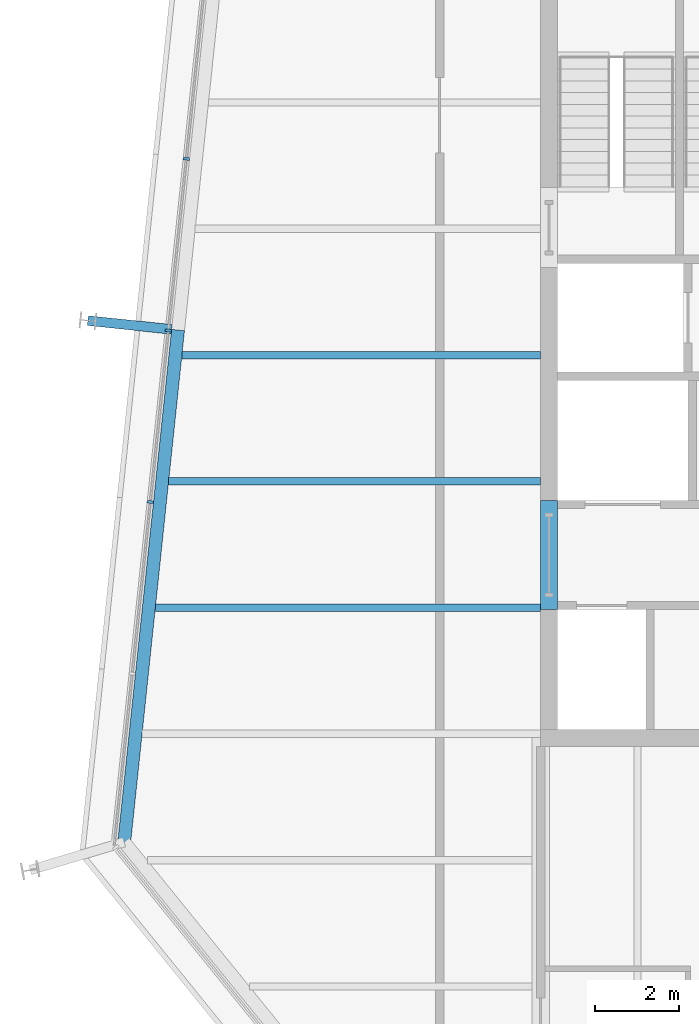
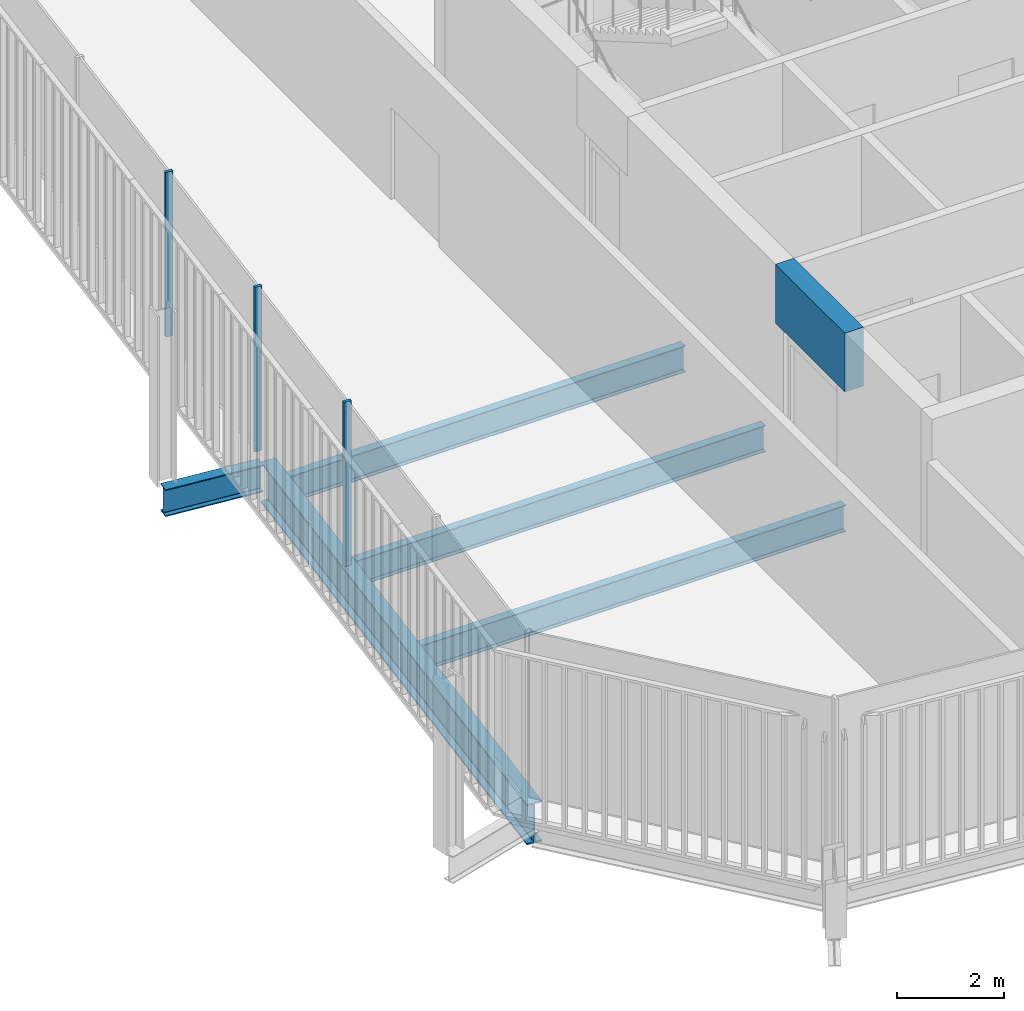
# One storey, part 6 of 20: 6 beams, 3 members, 1 element without a shape of its own.
"""IFC4 building model written with IfcOpenShell, lengths in metres."""

from ifc_helpers import new_model, si_unit, direction, frame, origin, origin_2d, place, context, subcontext, project, spatial, rectangle, i_section, extrude, material, layer, layer_set, material_profile, profile_set, type_object, element, aggregate, save


model = new_model("IFC4")

# Units and contexts
model_context = context("Model", 3, precision=1e-05, world=origin(), true_north=direction((0.0, 1.0)))
body_context = subcontext(model_context, "Body", "Model", "MODEL_VIEW")
ifc_project = project(units=[si_unit("LENGTHUNIT", "METRE"), si_unit("AREAUNIT", "SQUARE_METRE"), si_unit("VOLUMEUNIT", "CUBIC_METRE"), si_unit("PLANEANGLEUNIT", "RADIAN"), si_unit("MASSUNIT", "GRAM", prefix="KILO")], contexts=[model_context])

# Site, building, storey
site_placement = place(None, origin())
site = spatial("IfcSite", under=ifc_project, at=site_placement, CompositionType="ELEMENT")
building_placement = place(site_placement, origin())
building = spatial("IfcBuilding", under=site, at=building_placement, Name="Millrace Tower", CompositionType="ELEMENT")
storey_placement = place(building_placement, frame((0.0, 0.0, 330.39990234375)))
storey = spatial("IfcBuildingStorey", under=building, at=storey_placement, Name="L76", CompositionType="ELEMENT", Elevation=330.39990234375)

# Curtain wall, members
ifc_material_1 = material(Name="Aluminium and glass", Category="aluminium")
ifc_layer = layer(ifc_material_1, 0.14990234375)
ifc_layer_set = layer_set([ifc_layer], Name="Aluminium and glass")
curtain_wall_type = type_object("IfcCurtainWallType", Name="CW-1 office vision curtain wall", PredefinedType="NOTDEFINED", material=ifc_layer_set)
curtain_wall_placement = place(storey_placement, origin())
curtain_wall = element("IfcCurtainWall", 1, at=curtain_wall_placement, inside=storey, type_object=curtain_wall_type, Name="Curtain wall E-F08 L76", PredefinedType="NOTDEFINED")
ifc_material_2 = material(Name="Aluminium", Category="aluminium")
ifc_material_profile_1 = material_profile(ifc_material_2, rectangle(XDim=0.06494140625, YDim=0.14990234375, at=origin_2d()))
ifc_profile_set_1 = profile_set([ifc_material_profile_1], Name="Aluminium")
member_type = type_object("IfcMemberType", Name="CW-1 office vision curtain wall mullion", PredefinedType="MULLION", material=ifc_profile_set_1)
member_1_placement = place(storey_placement, frame((-22.717529296875, 4.664794921875, 0.14013671875), z_axis=(0.0, 0.0, 1.0), x_axis=(-0.104528455196, -0.994521896217, 0.0)))
member_1 = element("IfcMember", 2, at=member_1_placement, type_object=member_type, Name="CW1 mullion E-F08.6", PredefinedType="MULLION", context=body_context, shape_type="SweptSolid", body=[
    extrude(rectangle(XDim=0.06494140625, YDim=0.14990234375, at=origin_2d()), origin(), (0.0, 0.0, 1.0), 3.760009765625),
])
member_2_placement = place(storey_placement, frame((-23.146240234375, 0.587158203125, 0.14013671875), z_axis=(0.0, 0.0, 1.0), x_axis=(-0.104528455196, -0.994521896217, 0.0)))
member_2 = element("IfcMember", 3, at=member_2_placement, type_object=member_type, Name="CW1 mullion E-F08.7", PredefinedType="MULLION", context=body_context, shape_type="SweptSolid", body=[
    extrude(rectangle(XDim=0.06494140625, YDim=0.14990234375, at=origin_2d()), origin(), (0.0, 0.0, 1.0), 3.760009765625),
])
member_3_placement = place(storey_placement, frame((-23.57470703125, -3.490234375, 0.14013671875), z_axis=(0.0, 0.0, 1.0), x_axis=(-0.104528455196, -0.994521896217, 0.0)))
member_3 = element("IfcMember", 4, at=member_3_placement, type_object=member_type, Name="CW1 mullion E-F08.8", PredefinedType="MULLION", context=body_context, shape_type="SweptSolid", body=[
    extrude(rectangle(XDim=0.06494140625, YDim=0.14990234375, at=origin_2d()), origin(), (0.0, 0.0, 1.0), 3.760009765625),
])
aggregate(curtain_wall, [member_1, member_2, member_3])

# Beams
ifc_material_3 = material(Name="Concrete C60", Category="concrete")
ifc_material_profile_2 = material_profile(ifc_material_3, rectangle(XDim=0.39990234375, YDim=1.340087890625, at=origin_2d()))
ifc_profile_set_2 = profile_set([ifc_material_profile_2], Name="Concrete C60")
beam_type_1 = type_object("IfcBeamType", Name="Coupling beam 400 x 1340 Concrete C60, 2000 opening", PredefinedType="BEAM", material=ifc_profile_set_2)
beam_1_placement = place(storey_placement, frame((-14.10009765625, -6.050048828125, 3.070068359375), z_axis=(0.0, 1.0, 0.0), x_axis=(-1.0, 0.0, 0.0)))
element("IfcBeam", 5, at=beam_1_placement, inside=storey, type_object=beam_type_1, Name="Coupling beam W L76", PredefinedType="BEAM", context=body_context, shape_type="SweptSolid", body=[
    extrude(rectangle(XDim=0.39990234375, YDim=1.340087890625, at=origin_2d()), origin(), (0.0, 0.0, 1.0), 2.60009765625),
])
ifc_material_4 = material(Name="Steel ASTM A992 Grade 50", Category="steel")
ifc_material_profile_3 = material_profile(ifc_material_4, i_section(OverallWidth=0.177978515625, OverallDepth=0.599365234375, WebThickness=0.010009765625, FlangeThickness=0.012939453125, FilletRadius=0.012939453125, at=origin_2d()))
ifc_profile_set_3 = profile_set([ifc_material_profile_3], Name="Steel ASTM A992 Grade 50")
beam_type_2 = type_object("IfcBeamType", Name="Floor beam W24x55", PredefinedType="JOIST", material=ifc_profile_set_3)
beam_2_placement = place(storey_placement, frame((-23.4541015625, -6.0, -0.459716796875), z_axis=(1.0, 0.0, 0.0), x_axis=(0.0, 1.0, 0.0)))
element("IfcBeam", 6, at=beam_2_placement, inside=storey, type_object=beam_type_2, Name="BM-E-L76-S1-S009", PredefinedType="JOIST", context=body_context, shape_type="SweptSolid", body=[
    extrude(i_section(OverallWidth=0.177978515625, OverallDepth=0.599365234375, WebThickness=0.010009765625, FlangeThickness=0.012939453125, FilletRadius=0.012939453125, at=origin_2d()), origin(), (0.0, 0.0, 1.0), 9.154052734375),
])
beam_3_placement = place(storey_placement, frame((-23.138916015625, -3.0, -0.459716796875), z_axis=(1.0, 0.0, 0.0), x_axis=(0.0, 1.0, 0.0)))
element("IfcBeam", 7, at=beam_3_placement, inside=storey, type_object=beam_type_2, Name="BM-E-L76-S1-S012", PredefinedType="JOIST", context=body_context, shape_type="SweptSolid", body=[
    extrude(i_section(OverallWidth=0.177978515625, OverallDepth=0.599365234375, WebThickness=0.010009765625, FlangeThickness=0.012939453125, FilletRadius=0.012939453125, at=origin_2d()), origin(), (0.0, 0.0, 1.0), 8.8388671875),
])
beam_4_placement = place(storey_placement, frame((-22.823486328125, 0.0, -0.459716796875), z_axis=(1.0, 0.0, 0.0), x_axis=(0.0, 1.0, 0.0)))
element("IfcBeam", 8, at=beam_4_placement, inside=storey, type_object=beam_type_2, Name="BM-E-L76-S1-S015", PredefinedType="JOIST", context=body_context, shape_type="SweptSolid", body=[
    extrude(i_section(OverallWidth=0.177978515625, OverallDepth=0.599365234375, WebThickness=0.010009765625, FlangeThickness=0.012939453125, FilletRadius=0.012939453125, at=origin_2d()), origin(), (0.0, 0.0, 1.0), 8.5234375),
])
ifc_material_5 = material(Name="Steel ASTM A992 Grade 50", Category="steel")
ifc_material_profile_4 = material_profile(ifc_material_5, i_section(OverallWidth=0.23046875, OverallDepth=0.6171875, WebThickness=0.01318359375, FlangeThickness=0.022216796875, FilletRadius=0.012939453125, at=origin_2d()))
ifc_profile_set_4 = profile_set([ifc_material_profile_4], Name="Steel ASTM A992 Grade 50")
beam_type_3 = type_object("IfcBeamType", Name="Link beam W24x94", PredefinedType="BEAM", material=ifc_profile_set_4)
beam_5_placement = place(storey_placement, frame((-23.068115234375, 0.61181640625, -0.468505859375), z_axis=(-0.994526834051, 0.104481464157, 0.0), x_axis=(-0.104481464157, -0.994526834051, 0.0)))
element("IfcBeam", 9, at=beam_5_placement, inside=storey, type_object=beam_type_3, Name="LNK-E-L76-S1-02", PredefinedType="BEAM", context=body_context, shape_type="SweptSolid", body=[
    extrude(i_section(OverallWidth=0.23046875, OverallDepth=0.6171875, WebThickness=0.01318359375, FlangeThickness=0.022216796875, FilletRadius=0.012939453125, at=origin_2d()), origin(), (0.0, 0.0, 1.0), 2.000244140625),
])
ifc_material_6 = material(Name="Steel ASTM A992 Grade 50", Category="steel")
ifc_material_profile_5 = material_profile(ifc_material_6, i_section(OverallWidth=0.307373046875, OverallDepth=0.927001953125, WebThickness=0.01953125, FlangeThickness=0.031982421875, FilletRadius=0.01904296875, at=origin_2d()))
ifc_profile_set_5 = profile_set([ifc_material_profile_5], Name="Steel ASTM A992 Grade 50")
beam_type_4 = type_object("IfcBeamType", Name="Ring beam medium span W36x194", PredefinedType="SPANDREL", material=ifc_profile_set_5)
beam_6_placement = place(storey_placement, frame((-24.1943359375, -11.57373046875, -0.62353515625), z_axis=(0.104527955888, 0.994521948696, 0.0), x_axis=(-0.994521948696, 0.104527955888, 0.0)))
element("IfcBeam", 10, at=beam_6_placement, inside=storey, type_object=beam_type_4, Name="RNG-E-L76-S1-01", PredefinedType="SPANDREL", context=body_context, shape_type="SweptSolid", body=[
    extrude(i_section(OverallWidth=0.307373046875, OverallDepth=0.927001953125, WebThickness=0.01953125, FlangeThickness=0.031982421875, FilletRadius=0.01904296875, at=origin_2d()), origin(), (0.0, 0.0, 1.0), 12.236572265625),
])

save(model, "model.ifc")
